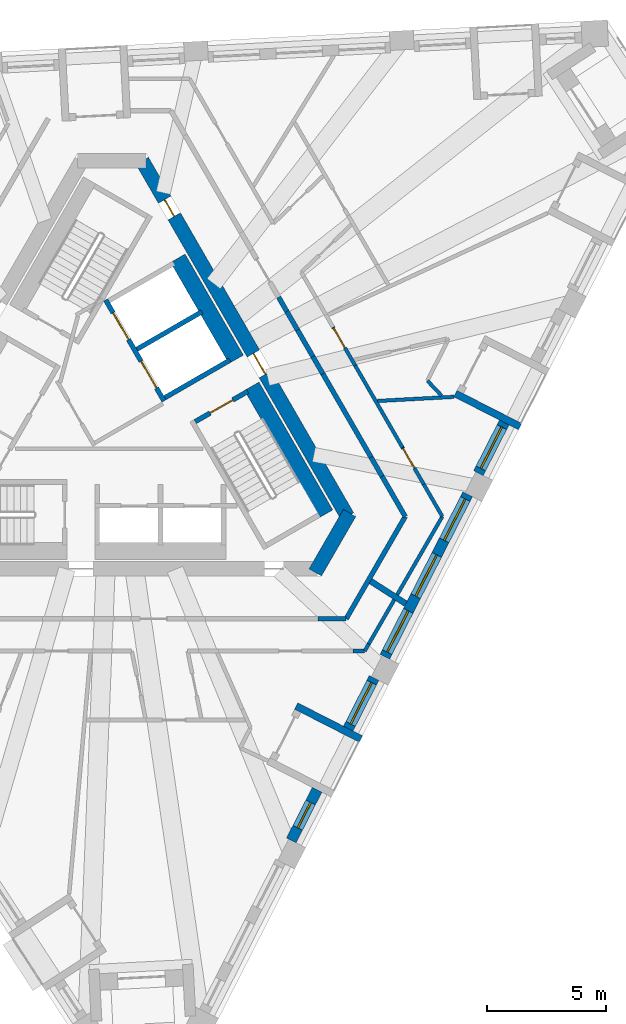
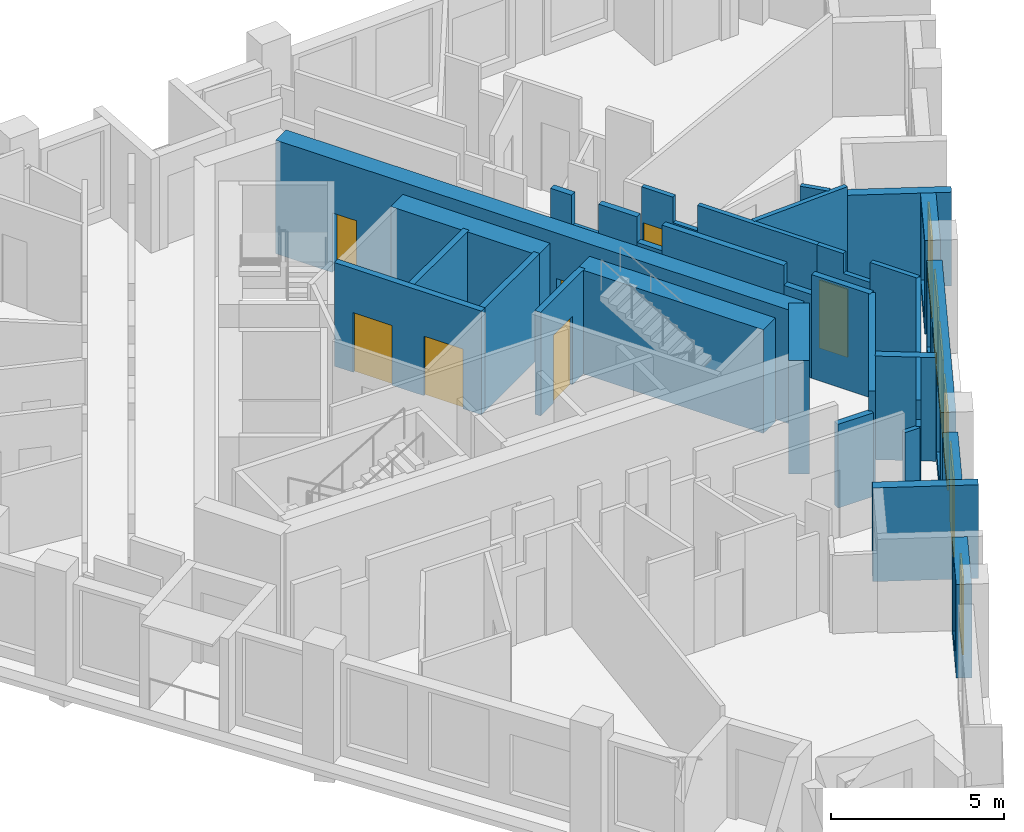
# One storey, part 5 of 13: 33 walls, 7 doors, 6 windows, 13 openings.
"""IFC4 building model written with IfcOpenShell, lengths in metres."""

from ifc_helpers import new_model, si_unit, direction, frame, frame_2d, origin, place, context, subcontext, project, spatial, polyline, rectangle, outline, extrude, material, layer, layer_set, type_object, element, fill, save


model = new_model("IFC4")

# Units and contexts
model_context = context("Model", 3, precision=1e-05, world=origin(), true_north=direction((0.0, 1.0)))
body_context = subcontext(model_context, "Body", "Model", "MODEL_VIEW")
ifc_project = project(units=[si_unit("LENGTHUNIT", "METRE"), si_unit("AREAUNIT", "SQUARE_METRE"), si_unit("VOLUMEUNIT", "CUBIC_METRE"), si_unit("PLANEANGLEUNIT", "RADIAN"), si_unit("MASSUNIT", "GRAM", prefix="KILO")], contexts=[model_context])

# Site, building, storey
site_placement = place(None, origin())
site = spatial("IfcSite", under=ifc_project, at=site_placement, CompositionType="ELEMENT")
building_placement = place(site_placement, origin())
building = spatial("IfcBuilding", under=site, at=building_placement, Name="Tramontana Tower", CompositionType="ELEMENT")
storey_placement = place(building_placement, frame((0.0, 0.0, 286.39990234375)))
storey = spatial("IfcBuildingStorey", under=building, at=storey_placement, Name="L67", CompositionType="ELEMENT", Elevation=286.39990234375)

# Wall
ifc_material_1 = material(Name="Concrete 70 MPa", Category="concrete")
ifc_layer_1 = layer(ifc_material_1, 0.60009765625)
ifc_layer_set_1 = layer_set([ifc_layer_1], Name="Core wall 600 70 MPa")
wall_type_1 = type_object("IfcWallType", Name="Core wall 600 70 MPa", PredefinedType="SHEAR", material=ifc_layer_set_1)
wall_1_placement = place(storey_placement, frame((8.544921875, -6.60009765625, 0.0), z_axis=(0.0, 0.0, 1.0), x_axis=(0.499995765644, 0.866027848477, 0.0)))
element("IfcWall", 1, at=wall_1_placement, inside=storey, type_object=wall_type_1, Name="Core wall C4 L67", PredefinedType="SHEAR", context=body_context, shape_type="SweptSolid", body=[
    extrude(rectangle(XDim=2.88671875, YDim=0.60009765625, at=frame_2d((1.443359375, 0.0))), origin(), (0.0, 0.0, 1.0), 4.0),
])

# Wall, openings, doors
wall_2_placement = place(storey_placement, frame((9.901611328125, -4.25, 0.0), z_axis=(0.0, 0.0, 1.0), x_axis=(-0.499999536116, 0.866025671608, 0.0)))
wall_2 = element("IfcWall", 2, at=wall_2_placement, inside=storey, type_object=wall_type_1, Name="Core wall C5 L67", PredefinedType="SHEAR", context=body_context, shape_type="SweptSolid", body=[
    extrude(rectangle(XDim=17.2626953125, YDim=0.60009765625, at=frame_2d((8.63134765625, 0.0))), origin(), (0.0, 0.0, 1.0), 4.0),
])
opening_1_placement = place(wall_2_placement, frame((6.906494140625, 0.0, 0.0)))
opening_1 = element("IfcOpeningElement", 3, at=opening_1_placement, cuts=wall_2, Name="Opening RG3", PredefinedType="OPENING", context=body_context, shape_type="SweptSolid", body=[
    extrude(rectangle(XDim=1.0, YDim=2.39990234375, at=frame_2d((0.5, 1.199951171875))), frame((0.0, 0.31005859375, 0.0), z_axis=(0.0, -1.0, 0.0), x_axis=(1.0, 0.0, 0.0)), (0.0, 0.0, 1.0), 0.6201171875),
])
opening_2_placement = place(wall_2_placement, frame((14.56689453125, 0.0, 0.0)))
opening_2 = element("IfcOpeningElement", 4, at=opening_2_placement, cuts=wall_2, Name="Opening PD3", PredefinedType="OPENING", context=body_context, shape_type="SweptSolid", body=[
    extrude(rectangle(XDim=0.800048828125, YDim=2.10009765625, at=frame_2d((0.39990234375, 1.050048828125))), frame((0.0, 0.31005859375, 0.0), z_axis=(0.0, -1.0, 0.0), x_axis=(1.0, 0.0, 0.0)), (0.0, 0.0, 1.0), 0.6201171875),
])
ifc_material_2 = material(Name="Painted steel", Category="steel")
door_type_1 = type_object("IfcDoorType", Name="CUPBOARD DOOR 800", OperationType="SINGLE_SWING_LEFT", PredefinedType="DOOR", material=ifc_material_2)
door_1_placement = place(opening_2_placement, origin())
door_1 = element("IfcDoor", 5, at=door_1_placement, inside=storey, type_object=door_type_1, Name="Door PD3", OperationType="SINGLE_SWING_RIGHT", OverallHeight=2.10009765625, OverallWidth=0.800048828125, PredefinedType="DOOR", context=body_context, shape_type="SweptSolid", body=[
    extrude(rectangle(XDim=0.800048828125, YDim=2.10009765625, at=frame_2d((0.39990234375, 1.050048828125))), frame((0.0, 0.02490234375, 0.0), z_axis=(0.0, -1.0, 0.0), x_axis=(1.0, 0.0, 0.0)), (0.0, 0.0, 1.0), 0.050048828125),
])
fill(opening_2, door_1)
ifc_material_3 = material(Name="Painted steel", Category="steel")
door_type_2 = type_object("IfcDoorType", Name="RING DOOR 1000", OperationType="SINGLE_SWING_LEFT", PredefinedType="DOOR", material=ifc_material_3)
door_2_placement = place(opening_1_placement, origin())
door_2 = element("IfcDoor", 6, at=door_2_placement, inside=storey, type_object=door_type_2, Name="Door RG3", OperationType="SINGLE_SWING_RIGHT", OverallHeight=2.39990234375, OverallWidth=1.0, PredefinedType="DOOR", context=body_context, shape_type="SweptSolid", body=[
    extrude(rectangle(XDim=1.0, YDim=2.39990234375, at=frame_2d((0.5, 1.199951171875))), frame((0.0, 0.02490234375, 0.0), z_axis=(0.0, -1.0, 0.0), x_axis=(1.0, 0.0, 0.0)), (0.0, 0.0, 1.0), 0.050048828125),
])
fill(opening_1, door_2)

# Walls
ifc_material_4 = material(Name="Blockwork", Category="masonry")
ifc_layer_2 = layer(ifc_material_4, 0.199951171875)
ifc_layer_set_2 = layer_set([ifc_layer_2], Name="ENTRY WALL 200")
wall_type_2 = type_object("IfcWallType", Name="ENTRY WALL 200", PredefinedType="SOLIDWALL", material=ifc_layer_set_2)
wall_3_placement = place(storey_placement, frame((12.326416015625, -4.25, 0.0), z_axis=(0.0, 0.0, 1.0), x_axis=(-0.50000478328, -0.866022642139, 0.0)))
element("IfcWall", 7, at=wall_3_placement, inside=storey, type_object=wall_type_2, Name="Wall v71-ew0", PredefinedType="SOLIDWALL", context=body_context, shape_type="SweptSolid", body=[
    extrude(rectangle(XDim=4.96533203125, YDim=0.199951171875, at=frame_2d((2.482666015625, 0.0))), origin(), (0.0, 0.0, 1.0), 3.650146484375),
])
wall_4_placement = place(storey_placement, frame((9.84375, -8.550048828125, 0.0), z_axis=(0.0, 0.0, 1.0), x_axis=(-1.0, 0.0, 0.0)))
element("IfcWall", 8, at=wall_4_placement, inside=storey, type_object=wall_type_2, Name="Wall v71-ew1-0", PredefinedType="SOLIDWALL", context=body_context, shape_type="SweptSolid", body=[
    extrude(rectangle(XDim=1.1884765625, YDim=0.199951171875, at=frame_2d((0.59423828125, 0.0))), origin(), (0.0, 0.0, 1.0), 2.9501953125),
])
wall_5_placement = place(storey_placement, frame((7.0068359375, 4.963623046875, 0.0), z_axis=(0.0, 0.0, 1.0), x_axis=(0.499977339252, -0.866038486578, 0.0)))
element("IfcWall", 9, at=wall_5_placement, inside=storey, type_object=wall_type_2, Name="Wall v71-ew5-5", PredefinedType="SOLIDWALL", context=body_context, shape_type="SweptSolid", body=[
    extrude(rectangle(XDim=0.69091796875, YDim=0.199951171875, at=frame_2d((0.345458984375, 0.0))), origin(), (0.0, 0.0, 1.0), 3.650146484375),
])
wall_6_placement = place(storey_placement, frame((7.352294921875, 4.365234375, 0.0), z_axis=(0.0, 0.0, 1.0), x_axis=(0.500074377092, -0.865982457891, 0.0)))
element("IfcWall", 10, at=wall_6_placement, inside=storey, type_object=wall_type_2, Name="Wall v71-ew5-6", PredefinedType="SOLIDWALL", context=body_context, shape_type="SweptSolid", body=[
    extrude(rectangle(XDim=0.900634765625, YDim=0.199951171875, at=frame_2d((0.4501953125, 0.0))), origin(), (0.0, 0.0, 1.0), 2.550048828125),
])
wall_7_placement = place(storey_placement, frame((7.802734375, 3.585205078125, 0.0), z_axis=(0.0, 0.0, 1.0), x_axis=(0.500018234033, -0.866014876105, 0.0)))
element("IfcWall", 11, at=wall_7_placement, inside=storey, type_object=wall_type_2, Name="Wall v71-ew5-7", PredefinedType="SOLIDWALL", context=body_context, shape_type="SweptSolid", body=[
    extrude(rectangle(XDim=1.2861328125, YDim=0.199951171875, at=frame_2d((0.64306640625, 0.0))), origin(), (0.0, 0.0, 1.0), 3.650146484375),
])
wall_8_placement = place(storey_placement, frame((8.44580078125, 2.471435546875, 0.0), z_axis=(0.0, 0.0, 1.0), x_axis=(0.499950631041, -0.86605390509, 0.0)))
element("IfcWall", 12, at=wall_8_placement, inside=storey, type_object=wall_type_2, Name="Wall v71-ew5-8", PredefinedType="SOLIDWALL", context=body_context, shape_type="SweptSolid", body=[
    extrude(rectangle(XDim=0.83349609375, YDim=0.199951171875, at=frame_2d((0.416748046875, 0.0))), origin(), (0.0, 0.0, 1.0), 2.75),
])
wall_9_placement = place(storey_placement, frame((8.862548828125, 1.74951171875, 0.0), z_axis=(0.0, 0.0, 1.0), x_axis=(0.500007556608, -0.866021040931, 0.0)))
element("IfcWall", 13, at=wall_9_placement, inside=storey, type_object=wall_type_2, Name="Wall v71-ew5-9", PredefinedType="SOLIDWALL", context=body_context, shape_type="SweptSolid", body=[
    extrude(rectangle(XDim=4.05224609375, YDim=0.199951171875, at=frame_2d((2.026123046875, 0.0))), origin(), (0.0, 0.0, 1.0), 3.650146484375),
])
wall_10_placement = place(storey_placement, frame((10.888671875, -1.759765625, 0.0), z_axis=(0.0, 0.0, 1.0), x_axis=(0.500102178127, -0.865966403178, 0.0)))
element("IfcWall", 14, at=wall_10_placement, inside=storey, type_object=wall_type_2, Name="Wall v71-ew5-10", PredefinedType="SOLIDWALL", context=body_context, shape_type="SweptSolid", body=[
    extrude(rectangle(XDim=0.927490234375, YDim=0.199951171875, at=frame_2d((0.4638671875, 0.0))), origin(), (0.0, 0.0, 1.0), 2.9501953125),
])
wall_11_placement = place(storey_placement, frame((11.3525390625, -2.56298828125, 0.0), z_axis=(0.0, 0.0, 1.0), x_axis=(0.499953905513, -0.866052014814, 0.0)))
element("IfcWall", 15, at=wall_11_placement, inside=storey, type_object=wall_type_2, Name="Wall v71-ew5-11", PredefinedType="SOLIDWALL", context=body_context, shape_type="SweptSolid", body=[
    extrude(rectangle(XDim=1.947998046875, YDim=0.199951171875, at=frame_2d((0.97412109375, 0.0))), origin(), (0.0, 0.0, 1.0), 3.650146484375),
])

# Wall, opening, window
ifc_material_5 = material(Name="Precast concrete 60 MPa", Category="concrete")
ifc_layer_3 = layer(ifc_material_5, 0.449951171875)
ifc_layer_set_3 = layer_set([ifc_layer_3], Name="Precast concrete 60 MPa, 450 mm")
wall_type_3 = type_object("IfcWallType", Name="EW1 Stone-faced precast wall 450", PredefinedType="SOLIDWALL", material=ifc_layer_set_3)
wall_12_placement = place(storey_placement, frame((7.53857421875, -17.859375, 0.0), z_axis=(0.0, 0.0, 1.0), x_axis=(0.454074413722, 0.890963762901, 0.0)))
wall_12 = element("IfcWall", 16, at=wall_12_placement, inside=storey, type_object=wall_type_3, Name="External wall L67 face 1 bay 2", PredefinedType="SOLIDWALL", context=body_context, shape_type="SweptSolid", body=[
    extrude(rectangle(XDim=2.38671875, YDim=0.449951171875, at=frame_2d((1.193359375, 0.0))), origin(), (0.0, 0.0, 1.0), 3.300048828125),
])
opening_3_placement = place(wall_12_placement, frame((0.59326171875, 0.0, 0.39990234375)))
opening_3 = element("IfcOpeningElement", 17, at=opening_3_placement, cuts=wall_12, Name="Opening N3", PredefinedType="OPENING", context=body_context, shape_type="SweptSolid", body=[
    extrude(rectangle(XDim=1.199951171875, YDim=2.75, at=frame_2d((0.60009765625, 1.375))), frame((0.0, 0.23486328125, 0.0), z_axis=(0.0, -1.0, 0.0), x_axis=(1.0, 0.0, 0.0)), (0.0, 0.0, 1.0), 0.469970703125),
])
ifc_material_6 = material(Name="Aluminum frame, double glazing unit", Category="aluminium")
window_type_1 = type_object("IfcWindowType", Name="N3 Window 1.2 x 2.75", PartitioningType="SINGLE_PANEL", PredefinedType="WINDOW", material=ifc_material_6)
window_1_placement = place(opening_3_placement, origin())
window_1 = element("IfcWindow", 18, at=window_1_placement, inside=storey, type_object=window_type_1, Name="Window N3 L67 face 1 module 4", OverallHeight=2.75, OverallWidth=1.199951171875, PartitioningType="SINGLE_PANEL", PredefinedType="WINDOW", context=body_context, shape_type="SweptSolid", body=[
    extrude(rectangle(XDim=1.199951171875, YDim=2.75, at=frame_2d((0.60009765625, 1.375))), frame((0.0, 0.030029296875, 0.0), z_axis=(0.0, -1.0, 0.0), x_axis=(1.0, 0.0, 0.0)), (0.0, 0.0, 1.0), 0.06005859375),
])
fill(opening_3, window_1)

wall_13_placement = place(storey_placement, frame((9.932861328125, -13.16064453125, 0.0), z_axis=(0.0, 0.0, 1.0), x_axis=(0.453993206954, 0.891005144788, 0.0)))
wall_13 = element("IfcWall", 19, at=wall_13_placement, inside=storey, type_object=wall_type_3, Name="External wall L67 face 1 bay 2", PredefinedType="SOLIDWALL", context=body_context, shape_type="SweptSolid", body=[
    extrude(rectangle(XDim=2.386474609375, YDim=0.449951171875, at=frame_2d((1.193359375, 0.0))), origin(), (0.0, 0.0, 1.0), 3.300048828125),
])
opening_4_placement = place(wall_13_placement, frame((0.21826171875, 0.0, 0.39990234375)))
opening_4 = element("IfcOpeningElement", 20, at=opening_4_placement, cuts=wall_13, Name="Opening M3", PredefinedType="OPENING", context=body_context, shape_type="SweptSolid", body=[
    extrude(rectangle(XDim=1.949951171875, YDim=2.75, at=frame_2d((0.97509765625, 1.375))), frame((0.0, 0.23486328125, 0.0), z_axis=(0.0, -1.0, 0.0), x_axis=(1.0, 0.0, 0.0)), (0.0, 0.0, 1.0), 0.469970703125),
])
ifc_material_7 = material(Name="Aluminum frame, double glazing unit", Category="aluminium")
window_type_2 = type_object("IfcWindowType", Name="M3 Window 1.95 x 2.75", PartitioningType="SINGLE_PANEL", PredefinedType="WINDOW", material=ifc_material_7)
window_2_placement = place(opening_4_placement, origin())
window_2 = element("IfcWindow", 21, at=window_2_placement, inside=storey, type_object=window_type_2, Name="Window M3 L67 face 1 module 6", OverallHeight=2.75, OverallWidth=1.949951171875, PartitioningType="SINGLE_PANEL", PredefinedType="WINDOW", context=body_context, shape_type="SweptSolid", body=[
    extrude(rectangle(XDim=1.949951171875, YDim=2.75, at=frame_2d((0.97509765625, 1.375))), frame((0.0, 0.030029296875, 0.0), z_axis=(0.0, -1.0, 0.0), x_axis=(1.0, 0.0, 0.0)), (0.0, 0.0, 1.0), 0.06005859375),
])
fill(opening_4, window_2)

# Wall, openings, windows
wall_14_placement = place(storey_placement, frame((11.47021484375, -10.14306640625, 0.0), z_axis=(0.0, 0.0, 1.0), x_axis=(0.453995484395, 0.891003984362, 0.0)))
wall_14 = element("IfcWall", 22, at=wall_14_placement, inside=storey, type_object=wall_type_3, Name="External wall L67 face 1 bay 3", PredefinedType="SOLIDWALL", context=body_context, shape_type="SweptSolid", body=[
    extrude(rectangle(XDim=7.660400390625, YDim=0.449951171875, at=frame_2d((3.830078125, 0.0))), origin(), (0.0, 0.0, 1.0), 3.300048828125),
])
opening_5_placement = place(wall_14_placement, frame((0.21826171875, 0.0, 0.39990234375)))
opening_5 = element("IfcOpeningElement", 23, at=opening_5_placement, cuts=wall_14, Name="Opening M3", PredefinedType="OPENING", context=body_context, shape_type="SweptSolid", body=[
    extrude(rectangle(XDim=1.949951171875, YDim=2.75, at=frame_2d((0.97509765625, 1.375))), frame((0.0, 0.23486328125, 0.0), z_axis=(0.0, -1.0, 0.0), x_axis=(1.0, 0.0, 0.0)), (0.0, 0.0, 1.0), 0.469970703125),
])
opening_6_placement = place(wall_14_placement, frame((2.855224609375, 0.0, 0.39990234375)))
opening_6 = element("IfcOpeningElement", 24, at=opening_6_placement, cuts=wall_14, Name="Opening M3", PredefinedType="OPENING", context=body_context, shape_type="SweptSolid", body=[
    extrude(rectangle(XDim=1.949951171875, YDim=2.75, at=frame_2d((0.97509765625, 1.375))), frame((0.0, 0.23486328125, 0.0), z_axis=(0.0, -1.0, 0.0), x_axis=(1.0, 0.0, 0.0)), (0.0, 0.0, 1.0), 0.469970703125),
])
opening_7_placement = place(wall_14_placement, frame((5.491943359375, 0.0, 0.39990234375)))
opening_7 = element("IfcOpeningElement", 25, at=opening_7_placement, cuts=wall_14, Name="Opening M3", PredefinedType="OPENING", context=body_context, shape_type="SweptSolid", body=[
    extrude(rectangle(XDim=1.949951171875, YDim=2.75, at=frame_2d((0.97509765625, 1.375))), frame((0.0, 0.23486328125, 0.0), z_axis=(0.0, -1.0, 0.0), x_axis=(1.0, 0.0, 0.0)), (0.0, 0.0, 1.0), 0.469970703125),
])
window_3_placement = place(opening_5_placement, origin())
window_3 = element("IfcWindow", 26, at=window_3_placement, inside=storey, type_object=window_type_2, Name="Window M3 L67 face 1 module 7", OverallHeight=2.75, OverallWidth=1.949951171875, PartitioningType="SINGLE_PANEL", PredefinedType="WINDOW", context=body_context, shape_type="SweptSolid", body=[
    extrude(rectangle(XDim=1.949951171875, YDim=2.75, at=frame_2d((0.97509765625, 1.375))), frame((0.0, 0.030029296875, 0.0), z_axis=(0.0, -1.0, 0.0), x_axis=(1.0, 0.0, 0.0)), (0.0, 0.0, 1.0), 0.06005859375),
])
fill(opening_5, window_3)
window_4_placement = place(opening_6_placement, origin())
window_4 = element("IfcWindow", 27, at=window_4_placement, inside=storey, type_object=window_type_2, Name="Window M3 L67 face 1 module 8", OverallHeight=2.75, OverallWidth=1.949951171875, PartitioningType="SINGLE_PANEL", PredefinedType="WINDOW", context=body_context, shape_type="SweptSolid", body=[
    extrude(rectangle(XDim=1.949951171875, YDim=2.75, at=frame_2d((0.97509765625, 1.375))), frame((0.0, 0.030029296875, 0.0), z_axis=(0.0, -1.0, 0.0), x_axis=(1.0, 0.0, 0.0)), (0.0, 0.0, 1.0), 0.06005859375),
])
fill(opening_6, window_4)
window_5_placement = place(opening_7_placement, origin())
window_5 = element("IfcWindow", 28, at=window_5_placement, inside=storey, type_object=window_type_2, Name="Window M3 L67 face 1 module 9", OverallHeight=2.75, OverallWidth=1.949951171875, PartitioningType="SINGLE_PANEL", PredefinedType="WINDOW", context=body_context, shape_type="SweptSolid", body=[
    extrude(rectangle(XDim=1.949951171875, YDim=2.75, at=frame_2d((0.97509765625, 1.375))), frame((0.0, 0.030029296875, 0.0), z_axis=(0.0, -1.0, 0.0), x_axis=(1.0, 0.0, 0.0)), (0.0, 0.0, 1.0), 0.06005859375),
])
fill(opening_7, window_5)

# Wall, opening, window
wall_15_placement = place(storey_placement, frame((15.402099609375, -2.4267578125, 0.0), z_axis=(0.0, 0.0, 1.0), x_axis=(0.453951830128, 0.891026226283, 0.0)))
wall_15 = element("IfcWall", 29, at=wall_15_placement, inside=storey, type_object=wall_type_3, Name="External wall L67 face 1 bay 4", PredefinedType="SOLIDWALL", context=body_context, shape_type="SweptSolid", body=[
    extrude(rectangle(XDim=2.38671875, YDim=0.449951171875, at=frame_2d((1.193359375, 0.0))), origin(), (0.0, 0.0, 1.0), 3.300048828125),
])
opening_8_placement = place(wall_15_placement, frame((0.21826171875, 0.0, 0.39990234375)))
opening_8 = element("IfcOpeningElement", 30, at=opening_8_placement, cuts=wall_15, Name="Opening M3", PredefinedType="OPENING", context=body_context, shape_type="SweptSolid", body=[
    extrude(rectangle(XDim=1.949951171875, YDim=2.75, at=frame_2d((0.97509765625, 1.375))), frame((0.0, 0.23486328125, 0.0), z_axis=(0.0, -1.0, 0.0), x_axis=(1.0, 0.0, 0.0)), (0.0, 0.0, 1.0), 0.469970703125),
])
window_6_placement = place(opening_8_placement, origin())
window_6 = element("IfcWindow", 31, at=window_6_placement, inside=storey, type_object=window_type_2, Name="Window M3 L67 face 1 module 10", OverallHeight=2.75, OverallWidth=1.949951171875, PartitioningType="SINGLE_PANEL", PredefinedType="WINDOW", context=body_context, shape_type="SweptSolid", body=[
    extrude(rectangle(XDim=1.949951171875, YDim=2.75, at=frame_2d((0.97509765625, 1.375))), frame((0.0, 0.030029296875, 0.0), z_axis=(0.0, -1.0, 0.0), x_axis=(1.0, 0.0, 0.0)), (0.0, 0.0, 1.0), 0.06005859375),
])
fill(opening_8, window_6)

# Walls
ifc_material_8 = material(Name="Precast concrete 60 MPa", Category="concrete")
ifc_layer_4 = layer(ifc_material_8, 0.300048828125)
ifc_layer_set_4 = layer_set([ifc_layer_4], Name="LW1 Stone-faced loggia wall 300")
wall_type_4 = type_object("IfcWallType", Name="LW1 Stone-faced loggia wall 300", PredefinedType="SOLIDWALL", material=ifc_layer_set_4)
for number, where, z_axis, x_axis, name in (
    (32, (10.466064453125, -13.600830078125, 0.0), (0.0, 0.0, 1.0), (-0.890991233495, 0.454020508165, 0.0), "Loggia return L67 G7S1.4b"),
    (33, (17.155029296875, -0.472900390625, 0.0), (0.0, 0.0, 1.0), (-0.890991233495, 0.454020508165, 0.0), "Loggia return L67 G7S1.10a"),
):
    element("IfcWall", number, at=place(storey_placement, frame(where, z_axis=z_axis, x_axis=x_axis)), inside=storey, type_object=wall_type_4, Name=name, PredefinedType="SOLIDWALL", context=body_context, shape_type="SweptSolid", body=[
        extrude(rectangle(XDim=3.050048828125, YDim=0.300048828125, at=frame_2d((1.52490234375, 0.0))), origin(), (0.0, 0.0, 1.0), 3.300048828125),
    ])

# Wall, opening, door
ifc_material_9 = material(Name="Gypsum board partition")
ifc_layer_5 = layer(ifc_material_9, 0.14990234375)
ifc_layer_set_5 = layer_set([ifc_layer_5], Name="PARTITION 150")
wall_type_5 = type_object("IfcWallType", Name="PARTITION 150", PredefinedType="PARTITIONING", material=ifc_layer_set_5)
wall_16_placement = place(storey_placement, frame((9.2939453125, 3.702392578125, 0.0), z_axis=(0.0, 0.0, 1.0), x_axis=(0.499942461466, -0.866058621124, 0.0)))
wall_16 = element("IfcWall", 34, at=wall_16_placement, inside=storey, type_object=wall_type_5, Name="Wall v71-pw33-4", PredefinedType="PARTITIONING", context=body_context, shape_type="SweptSolid", body=[
    extrude(outline(polyline([(0.0, 0.0), (1.857177734375, 0.0), (1.85693359375, 2.75), (1.049560546875, 2.75), (1.049560546875, 3.650146484375), (0.0, 3.650146484375), (0.0, 0.0)])), frame((0.0, 0.074951171875, 0.0), z_axis=(0.0, -1.0, 0.0), x_axis=(1.0, 0.0, 0.0)), (0.0, 0.0, 1.0), 0.14990234375),
])
opening_9_placement = place(wall_16_placement, frame((0.050048828125, 0.0, 0.0)))
opening_9 = element("IfcOpeningElement", 35, at=opening_9_placement, cuts=wall_16, Name="Opening B7B-16", PredefinedType="OPENING", context=body_context, shape_type="SweptSolid", body=[
    extrude(rectangle(XDim=0.949951171875, YDim=2.39990234375, at=frame_2d((0.47509765625, 1.199951171875))), frame((0.0, 0.0849609375, 0.0), z_axis=(0.0, -1.0, 0.0), x_axis=(1.0, 0.0, 0.0)), (0.0, 0.0, 1.0), 0.169921875),
])
ifc_material_10 = material(Name="Painted timber", Category="wood")
door_type_3 = type_object("IfcDoorType", Name="DOOR ROOM 950", OperationType="SINGLE_SWING_LEFT", PredefinedType="DOOR", material=ifc_material_10)
door_3_placement = place(opening_9_placement, origin())
door_3 = element("IfcDoor", 36, at=door_3_placement, inside=storey, type_object=door_type_3, Name="Door B7B-16", OperationType="SINGLE_SWING_RIGHT", OverallHeight=2.39990234375, OverallWidth=0.949951171875, PredefinedType="DOOR", context=body_context, shape_type="SweptSolid", body=[
    extrude(rectangle(XDim=0.949951171875, YDim=2.39990234375, at=frame_2d((0.47509765625, 1.199951171875))), frame((0.0, 0.02490234375, 0.0), z_axis=(0.0, -1.0, 0.0), x_axis=(1.0, 0.0, 0.0)), (0.0, 0.0, 1.0), 0.050048828125),
])
fill(opening_9, door_3)

# Wall
wall_17_placement = place(storey_placement, frame((10.222412109375, 2.093994140625, 0.0), z_axis=(0.0, 0.0, 1.0), x_axis=(0.500039377857, -0.866002667774, 0.0)))
element("IfcWall", 37, at=wall_17_placement, inside=storey, type_object=wall_type_5, Name="Wall v71-pw33-5", PredefinedType="PARTITIONING", context=body_context, shape_type="SweptSolid", body=[
    extrude(rectangle(XDim=3.978759765625, YDim=0.14990234375, at=frame_2d((1.9892578125, 0.0))), origin(), (0.0, 0.0, 1.0), 3.650146484375),
])

# Wall, opening, door
wall_18_placement = place(storey_placement, frame((12.2119140625, -1.3515625, 0.0), z_axis=(0.0, 0.0, 1.0), x_axis=(0.500011952599, -0.866018502838, 0.0)))
wall_18 = element("IfcWall", 38, at=wall_18_placement, inside=storey, type_object=wall_type_5, Name="Wall v71-pw33-6", PredefinedType="PARTITIONING", context=body_context, shape_type="SweptSolid", body=[
    extrude(outline(polyline([(0.0, 0.0), (1.7763671875, 0.0), (1.7763671875, 2.9501953125), (0.882080078125, 2.9501953125), (0.882080078125, 3.650146484375), (0.0, 3.650146484375), (0.0, 0.0)])), frame((0.0, 0.074951171875, 0.0), z_axis=(0.0, -1.0, 0.0), x_axis=(1.0, 0.0, 0.0)), (0.0, 0.0, 1.0), 0.14990234375),
])
opening_10_placement = place(wall_18_placement, frame((0.050048828125, 0.0, 0.0)))
opening_10 = element("IfcOpeningElement", 39, at=opening_10_placement, cuts=wall_18, Name="Opening B7B-17", PredefinedType="OPENING", context=body_context, shape_type="SweptSolid", body=[
    extrude(rectangle(XDim=0.949951171875, YDim=2.39990234375, at=frame_2d((0.47509765625, 1.199951171875))), frame((0.0, 0.0849609375, 0.0), z_axis=(0.0, -1.0, 0.0), x_axis=(1.0, 0.0, 0.0)), (0.0, 0.0, 1.0), 0.169921875),
])
door_4_placement = place(opening_10_placement, origin())
door_4 = element("IfcDoor", 40, at=door_4_placement, inside=storey, type_object=door_type_3, Name="Door B7B-17", OperationType="SINGLE_SWING_LEFT", OverallHeight=2.39990234375, OverallWidth=0.949951171875, PredefinedType="DOOR", context=body_context, shape_type="SweptSolid", body=[
    extrude(rectangle(XDim=0.949951171875, YDim=2.39990234375, at=frame_2d((0.47509765625, 1.199951171875))), frame((0.0, 0.02490234375, 0.0), z_axis=(0.0, -1.0, 0.0), x_axis=(1.0, 0.0, 0.0)), (0.0, 0.0, 1.0), 0.050048828125),
])
fill(opening_10, door_4)

# Walls
wall_19_placement = place(storey_placement, frame((13.10009765625, -2.889892578125, 0.0), z_axis=(0.0, 0.0, 1.0), x_axis=(0.499951222523, -0.866053563643, 0.0)))
element("IfcWall", 41, at=wall_19_placement, inside=storey, type_object=wall_type_5, Name="Wall v71-pw33-7", PredefinedType="PARTITIONING", context=body_context, shape_type="SweptSolid", body=[
    extrude(rectangle(XDim=1.570556640625, YDim=0.14990234375, at=frame_2d((0.78515625, 0.0))), origin(), (0.0, 0.0, 1.0), 3.650146484375),
])
wall_20_placement = place(storey_placement, frame((10.623046875, -9.89990234375, 0.0), z_axis=(0.0, 0.0, 1.0), x_axis=(-1.0, 0.0, 0.0)))
element("IfcWall", 42, at=wall_20_placement, inside=storey, type_object=wall_type_5, Name="Wall v71-pw36-0", PredefinedType="PARTITIONING", context=body_context, shape_type="SweptSolid", body=[
    extrude(rectangle(XDim=0.501708984375, YDim=0.14990234375, at=frame_2d((0.2509765625, 0.0))), origin(), (0.0, 0.0, 1.0), 2.9501953125),
])
wall_21_placement = place(storey_placement, frame((13.257568359375, 1.456787109375, 0.0), z_axis=(0.0, 0.0, 1.0), x_axis=(0.6859788215, -0.727621506316, 0.0)))
element("IfcWall", 43, at=wall_21_placement, inside=storey, type_object=wall_type_5, Name="Wall v71-pw38", PredefinedType="PARTITIONING", context=body_context, shape_type="SweptSolid", body=[
    extrude(rectangle(XDim=0.86767578125, YDim=0.14990234375, at=frame_2d((0.433837890625, 0.0))), origin(), (0.0, 0.0, 1.0), 3.650146484375),
])
wall_22_placement = place(storey_placement, frame((13.88525390625, -4.25, 0.0), z_axis=(0.0, 0.0, 1.0), x_axis=(-0.500003887042, -0.866023159588, 0.0)))
element("IfcWall", 44, at=wall_22_placement, inside=storey, type_object=wall_type_5, Name="Wall v71-pw39-0", PredefinedType="PARTITIONING", context=body_context, shape_type="SweptSolid", body=[
    extrude(rectangle(XDim=6.1826171875, YDim=0.14990234375, at=frame_2d((3.09130859375, 0.0))), origin(), (0.0, 0.0, 1.0), 3.650146484375),
])
wall_23_placement = place(storey_placement, frame((10.7939453125, -9.604248046875, 0.0), z_axis=(0.0, 0.0, 1.0), x_axis=(-0.499908181442, -0.866078408764, 0.0)))
element("IfcWall", 45, at=wall_23_placement, inside=storey, type_object=wall_type_5, Name="Wall v71-pw39-1", PredefinedType="PARTITIONING", context=body_context, shape_type="SweptSolid", body=[
    extrude(rectangle(XDim=0.34130859375, YDim=0.14990234375, at=frame_2d((0.170654296875, 0.0))), origin(), (0.0, 0.0, 1.0), 2.9501953125),
])
wall_24_placement = place(storey_placement, frame((14.369384765625, 0.778076171875, 0.0), z_axis=(0.0, 0.0, 1.0), x_axis=(-0.99853649782, -0.054081998127, 0.0)))
element("IfcWall", 46, at=wall_24_placement, inside=storey, type_object=wall_type_5, Name="Wall v71-pw42", PredefinedType="PARTITIONING", context=body_context, shape_type="SweptSolid", body=[
    extrude(rectangle(XDim=3.205078125, YDim=0.14990234375, at=frame_2d((1.6025390625, 0.0))), origin(), (0.0, 0.0, 1.0), 3.650146484375),
])
ifc_material_11 = material(Name="Blockwork", Category="masonry")
ifc_layer_6 = layer(ifc_material_11, 0.25)
ifc_layer_set_6 = layer_set([ifc_layer_6], Name="PARTY WALL 250")
wall_type_6 = type_object("IfcWallType", Name="PARTY WALL 250", PredefinedType="SOLIDWALL", material=ifc_layer_set_6)
wall_25_placement = place(storey_placement, frame((10.873779296875, -6.96630859375, 0.0), z_axis=(0.0, 0.0, 1.0), x_axis=(0.841981095846, -0.539507028906, 0.0)))
element("IfcWall", 47, at=wall_25_placement, inside=storey, type_object=wall_type_6, Name="Wall v71-pw37", PredefinedType="SOLIDWALL", context=body_context, shape_type="SweptSolid", body=[
    extrude(rectangle(XDim=1.757080078125, YDim=0.25, at=frame_2d((0.87841796875, 0.0))), origin(), (0.0, 0.0, 1.0), 3.650146484375),
])
ifc_material_12 = material(Name="Concrete 70 MPa", Category="concrete")
ifc_layer_7 = layer(ifc_material_12, 0.699951171875)
ifc_layer_set_7 = layer_set([ifc_layer_7], Name="Concrete 70 MPa, 700 mm")
wall_type_7 = type_object("IfcWallType", Name="RC SHAFT BACK WALL 700", PredefinedType="SOLIDWALL", material=ifc_layer_set_7)
wall_26_placement = place(storey_placement, frame((8.976318359375, -4.1474609375, 0.0), z_axis=(0.0, 0.0, 1.0), x_axis=(-0.49998037582, 0.866036733513, 0.0)))
element("IfcWall", 48, at=wall_26_placement, inside=storey, type_object=wall_type_7, Name="Wall st3-back", PredefinedType="SOLIDWALL", context=body_context, shape_type="SweptSolid", body=[
    extrude(rectangle(XDim=6.199951171875, YDim=0.699951171875, at=frame_2d((3.10009765625, 0.0))), origin(), (0.0, 0.0, 1.0), 3.650146484375),
])
wall_27_placement = place(storey_placement, frame((5.221435546875, 2.3564453125, 0.0), z_axis=(0.0, 0.0, 1.0), x_axis=(-0.500040169509, 0.866002210665, 0.0)))
element("IfcWall", 49, at=wall_27_placement, inside=storey, type_object=wall_type_7, Name="Wall row2-back", PredefinedType="SOLIDWALL", context=body_context, shape_type="SweptSolid", body=[
    extrude(rectangle(XDim=4.89990234375, YDim=0.699951171875, at=frame_2d((2.449951171875, 0.0))), origin(), (0.0, 0.0, 1.0), 3.650146484375),
])

# Wall, opening, door
ifc_material_13 = material(Name="Concrete 70 MPa", Category="concrete")
ifc_layer_8 = layer(ifc_material_13, 0.199951171875)
ifc_layer_set_8 = layer_set([ifc_layer_8], Name="Concrete 70 MPa, 200 mm")
wall_type_8 = type_object("IfcWallType", Name="RC STAIR AND SHAFT WALL 200", PredefinedType="SOLIDWALL", material=ifc_layer_set_8)
wall_28_placement = place(storey_placement, frame((3.50146484375, -0.2646484375, 0.0), z_axis=(0.0, 0.0, 1.0), x_axis=(0.866030925526, 0.499990435942, 0.0)))
wall_28 = element("IfcWall", 50, at=wall_28_placement, inside=storey, type_object=wall_type_8, Name="Wall st3-near", PredefinedType="SOLIDWALL", context=body_context, shape_type="SweptSolid", body=[
    extrude(rectangle(XDim=2.5498046875, YDim=0.199951171875, at=frame_2d((1.27490234375, 0.0))), origin(), (0.0, 0.0, 1.0), 3.650146484375),
])
opening_11_placement = place(wall_28_placement, frame((0.72509765625, 0.0, 0.0)))
opening_11 = element("IfcOpeningElement", 51, at=opening_11_placement, cuts=wall_28, Name="Opening SD3", PredefinedType="OPENING", context=body_context, shape_type="SweptSolid", body=[
    extrude(rectangle(XDim=1.10009765625, YDim=2.39990234375, at=frame_2d((0.550048828125, 1.199951171875))), frame((0.0, 0.10986328125, 0.0), z_axis=(0.0, -1.0, 0.0), x_axis=(1.0, 0.0, 0.0)), (0.0, 0.0, 1.0), 0.219970703125),
])
ifc_material_14 = material(Name="Painted steel", Category="steel")
door_type_4 = type_object("IfcDoorType", Name="STAIR DOOR 1100", OperationType="SINGLE_SWING_LEFT", PredefinedType="DOOR", material=ifc_material_14)
door_5_placement = place(opening_11_placement, origin())
door_5 = element("IfcDoor", 52, at=door_5_placement, inside=storey, type_object=door_type_4, Name="Door SD3", OperationType="SINGLE_SWING_RIGHT", OverallHeight=2.39990234375, OverallWidth=1.10009765625, PredefinedType="DOOR", context=body_context, shape_type="SweptSolid", body=[
    extrude(rectangle(XDim=1.10009765625, YDim=2.39990234375, at=frame_2d((0.550048828125, 1.199951171875))), frame((0.0, 0.02490234375, 0.0), z_axis=(0.0, -1.0, 0.0), x_axis=(1.0, 0.0, 0.0)), (0.0, 0.0, 1.0), 0.050048828125),
])
fill(opening_11, door_5)

# Wall, openings, doors
wall_29_placement = place(storey_placement, frame((2.190185546875, 0.6064453125, 0.0), z_axis=(0.0, 0.0, 1.0), x_axis=(-0.500002801628, 0.866023786258, 0.0)))
wall_29 = element("IfcWall", 53, at=wall_29_placement, inside=storey, type_object=wall_type_8, Name="Wall row2-front", PredefinedType="SOLIDWALL", context=body_context, shape_type="SweptSolid", body=[
    extrude(rectangle(XDim=4.89990234375, YDim=0.199951171875, at=frame_2d((2.449951171875, 0.0))), origin(), (0.0, 0.0, 1.0), 3.650146484375),
])
opening_12_placement = place(wall_29_placement, frame((0.625, 0.0, 0.0)))
opening_12 = element("IfcOpeningElement", 54, at=opening_12_placement, cuts=wall_29, Name="Opening LD-F1", PredefinedType="OPENING", context=body_context, shape_type="SweptSolid", body=[
    extrude(rectangle(XDim=1.300048828125, YDim=2.10009765625, at=frame_2d((0.64990234375, 1.050048828125))), frame((0.0, 0.10986328125, 0.0), z_axis=(0.0, -1.0, 0.0), x_axis=(1.0, 0.0, 0.0)), (0.0, 0.0, 1.0), 0.219970703125),
])
opening_13_placement = place(wall_29_placement, frame((2.97509765625, 0.0, 0.0)))
opening_13 = element("IfcOpeningElement", 55, at=opening_13_placement, cuts=wall_29, Name="Opening LD-F2", PredefinedType="OPENING", context=body_context, shape_type="SweptSolid", body=[
    extrude(rectangle(XDim=1.300048828125, YDim=2.10009765625, at=frame_2d((0.64990234375, 1.050048828125))), frame((0.0, 0.10986328125, 0.0), z_axis=(0.0, -1.0, 0.0), x_axis=(1.0, 0.0, 0.0)), (0.0, 0.0, 1.0), 0.219970703125),
])
ifc_material_15 = material(Name="Brushed steel", Category="steel")
door_type_5 = type_object("IfcDoorType", Name="LANDING DOOR 1300", OperationType="SINGLE_SWING_LEFT", PredefinedType="DOOR", material=ifc_material_15)
door_6_placement = place(opening_12_placement, origin())
door_6 = element("IfcDoor", 56, at=door_6_placement, inside=storey, type_object=door_type_5, Name="Door LD-F1", OperationType="SLIDING_TO_LEFT", OverallHeight=2.10009765625, OverallWidth=1.300048828125, PredefinedType="DOOR", context=body_context, shape_type="SweptSolid", body=[
    extrude(rectangle(XDim=1.300048828125, YDim=2.10009765625, at=frame_2d((0.64990234375, 1.050048828125))), frame((0.0, 0.02490234375, 0.0), z_axis=(0.0, -1.0, 0.0), x_axis=(1.0, 0.0, 0.0)), (0.0, 0.0, 1.0), 0.050048828125),
])
fill(opening_12, door_6)
door_7_placement = place(opening_13_placement, origin())
door_7 = element("IfcDoor", 57, at=door_7_placement, inside=storey, type_object=door_type_5, Name="Door LD-F2", OperationType="SLIDING_TO_RIGHT", OverallHeight=2.10009765625, OverallWidth=1.300048828125, PredefinedType="DOOR", context=body_context, shape_type="SweptSolid", body=[
    extrude(rectangle(XDim=1.300048828125, YDim=2.10009765625, at=frame_2d((0.64990234375, 1.050048828125))), frame((0.0, 0.02490234375, 0.0), z_axis=(0.0, -1.0, 0.0), x_axis=(1.0, 0.0, 0.0)), (0.0, 0.0, 1.0), 0.050048828125),
])
fill(opening_13, door_7)

# Walls
for number, where, z_axis, x_axis, name in (
    (58, (2.226806640625, 0.742919921875, 0.0), (0.0, 0.0, 1.0), (0.866035871367, 0.499981869177, 0.0), "Wall row2-side0"),
    (59, (1.0517578125, 2.778076171875, 0.0), (0.0, 0.0, 1.0), (0.866035871367, 0.499981869177, 0.0), "Wall row2-side1"),
):
    element("IfcWall", number, at=place(storey_placement, frame(where, z_axis=z_axis, x_axis=x_axis)), inside=storey, type_object=wall_type_8, Name=name, PredefinedType="SOLIDWALL", context=body_context, shape_type="SweptSolid", body=[
        extrude(rectangle(XDim=3.14990234375, YDim=0.199951171875, at=frame_2d((1.574951171875, 0.0))), origin(), (0.0, 0.0, 1.0), 3.650146484375),
    ])

save(model, "model.ifc")
